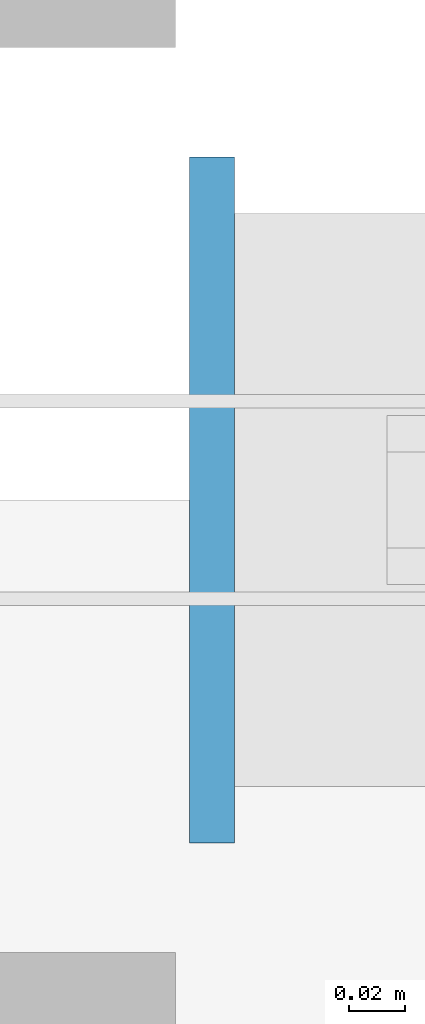
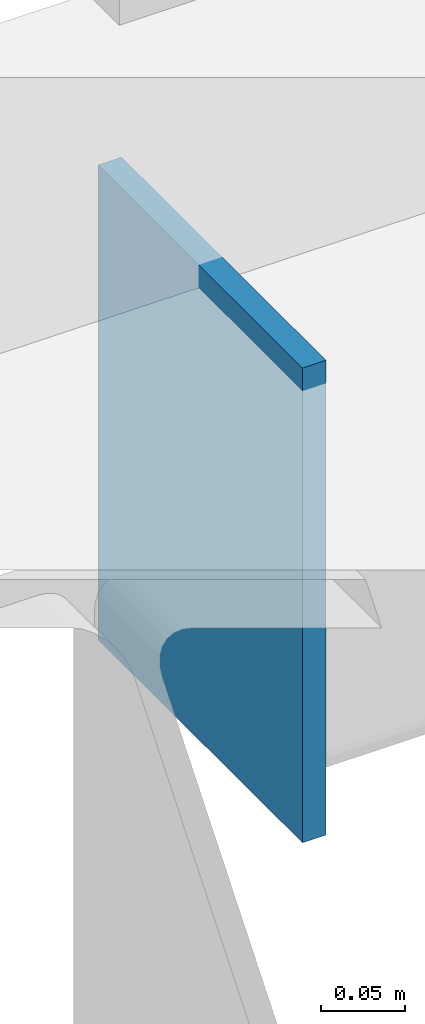
# One storey, part 146 of 186: 1 plate.
"""IFC4 building model written with IfcOpenShell, lengths in metres."""

import ifcopenshell
import ifcopenshell.guid

model = None  # the IFC model being written
_history = None  # IfcOwnerHistory: only IFC2X3 demands one
_inside = {}  # id of a spatial element -> (the spatial element, [elements in it])
_under = {}  # id of a project, library or spatial element -> (it, [spatial elements below it])
_declared = {}  # id of a project -> (the project, [libraries it declares])
_typed = {}  # id of a type object -> (the type object, [elements of that type])
_made_of = {}  # id of a material, layer set ... -> (it, [elements and type objects made of it])


def new_model(schema):
    """Start an empty IFC model of exactly this schema.

    Asked for "IFC4X3", IfcOpenShell would pick the latest addendum, in which some entities
    have other attributes; the version numbers below select the first issue.
    IFC2X3 requires an IfcOwnerHistory on every rooted entity: one is made here for all.
    """
    global model, _history
    if schema == "IFC4X3":
        model = ifcopenshell.file(schema_version=(4, 3, 0, 0))
    else:
        model = ifcopenshell.file(schema=schema)
    _inside.clear()
    _under.clear()
    _declared.clear()
    _typed.clear()
    _made_of.clear()
    _history = None
    if model.schema == "IFC2X3":
        org = make("IfcOrganization", Name="unknown")
        user = make(
            "IfcPersonAndOrganization",
            ThePerson=make("IfcPerson", FamilyName="unknown"),
            TheOrganization=org,
        )
        app = make(
            "IfcApplication",
            ApplicationDeveloper=org,
            Version="unknown",
            ApplicationFullName="unknown",
            ApplicationIdentifier="unknown",
        )
        _history = make(
            "IfcOwnerHistory",
            OwningUser=user,
            OwningApplication=app,
            ChangeAction="ADDED",
            CreationDate=0,
        )
    return model


def make(cls, **values):
    """One entity of the class cls with the attributes given. An attribute that is None is left unset."""
    return model.create_entity(
        cls, **{name: value for name, value in values.items() if value is not None}
    )


def rooted(cls, **values):
    """An entity with a GlobalId (a new one), such as an element, a storey or a relation."""
    return make(cls, GlobalId=ifcopenshell.guid.new(), OwnerHistory=_history, **values)


def si_unit(unit_type, name, prefix=None):
    """IfcSIUnit, for example si_unit("LENGTHUNIT", "METRE", prefix="MILLI")."""
    return make("IfcSIUnit", UnitType=unit_type, Prefix=prefix, Name=name)


def assignment(units):
    """IfcUnitAssignment: the units of a project."""
    return None if units is None else make("IfcUnitAssignment", Units=units)


def point(xyz):
    """IfcCartesianPoint."""
    return None if xyz is None else make("IfcCartesianPoint", Coordinates=xyz)


def direction(xyz):
    """IfcDirection."""
    return None if xyz is None else make("IfcDirection", DirectionRatios=xyz)


def frame(location, z_axis=None, x_axis=None):
    """IfcAxis2Placement3D, a coordinate frame: its origin and axes. An axis left out is left unset."""
    return make(
        "IfcAxis2Placement3D",
        Location=point(location),
        Axis=direction(z_axis),
        RefDirection=direction(x_axis),
    )


def frame_2d(location, x_axis=None):
    """IfcAxis2Placement2D, a coordinate frame in the plane: its origin and x axis."""
    return make(
        "IfcAxis2Placement2D", Location=point(location), RefDirection=direction(x_axis)
    )


def origin():
    """The frame at (0, 0, 0) with its axes left unset."""
    return frame((0.0, 0.0, 0.0))


def origin_2d():
    """The frame at (0, 0) in the plane with its x axis left unset."""
    return frame_2d((0.0, 0.0))


def place(relative_to, where):
    """IfcLocalPlacement: puts the frame where relative to a parent placement (None: the world)."""
    return make(
        "IfcLocalPlacement", PlacementRelTo=relative_to, RelativePlacement=where
    )


def context(
    kind, dimensions, precision=None, world=None, true_north=None, identifier=None
):
    """IfcGeometricRepresentationContext, for example the 3D "Model" context."""
    return make(
        "IfcGeometricRepresentationContext",
        ContextIdentifier=identifier,
        ContextType=kind,
        CoordinateSpaceDimension=dimensions,
        Precision=precision,
        WorldCoordinateSystem=world,
        TrueNorth=true_north,
    )


def subcontext(parent, identifier, kind, view, scale=None):
    """IfcGeometricRepresentationSubContext, for example "Body" below "Model"."""
    return make(
        "IfcGeometricRepresentationSubContext",
        ContextIdentifier=identifier,
        ContextType=kind,
        ParentContext=parent,
        TargetScale=scale,
        TargetView=view,
    )


def project(units=None, contexts=None):
    """IfcProject with its units and contexts."""
    return rooted(
        "IfcProject",
        Name="project",
        RepresentationContexts=contexts,
        UnitsInContext=assignment(units),
    )


def spatial(cls, under=None, at=None, **own):
    """A site, building, storey or space (cls), placed at a placement, below another one or the project."""
    s = rooted(cls, ObjectPlacement=at, **own)
    if under is not None:
        _under.setdefault(under.id(), (under, []))[1].append(s)
    return s


def profile(cls, at=None, kind="AREA", **sizes):
    """A parametric profile (cls). Its sizes go by their IFC names, for example OverallWidth=200.0."""
    return make(cls, ProfileType=kind, Position=at, **sizes)


def rectangle(**sizes):
    """IfcRectangleProfileDef."""
    return profile("IfcRectangleProfileDef", **sizes)


def extrude(swept, where, along, depth):
    """IfcExtrudedAreaSolid: the profile swept, set in the frame where, extruded along a direction by depth."""
    return make(
        "IfcExtrudedAreaSolid",
        SweptArea=swept,
        Position=where,
        ExtrudedDirection=direction(along),
        Depth=depth,
    )


def shape(context_of_items, identifier, shape_type, items):
    """IfcShapeRepresentation: the items that make up one representation, for example the "Body"."""
    return make(
        "IfcShapeRepresentation",
        ContextOfItems=context_of_items,
        RepresentationIdentifier=identifier,
        RepresentationType=shape_type,
        Items=items,
    )


def material(Name=None, Category=None):
    """IfcMaterial."""
    return make("IfcMaterial", Name=Name, Category=Category)


def layer(
    of_material, thickness, ventilated=None, Name=None, Category=None, Priority=None
):
    """IfcMaterialLayer: one layer of a wall or slab, of a material (None: an air gap)."""
    return make(
        "IfcMaterialLayer",
        Material=of_material,
        LayerThickness=thickness,
        IsVentilated=ventilated,
        Name=Name,
        Category=Category,
        Priority=Priority,
    )


def layer_set(layers, Name=None):
    """IfcMaterialLayerSet."""
    return make("IfcMaterialLayerSet", MaterialLayers=layers, LayerSetName=Name)


def made_of(thing, what):
    """Note that an element or type object is made of a material, layer set ...; save() writes the relation."""
    if what is not None:
        _made_of.setdefault(what.id(), (what, []))[1].append(thing)
    return thing


def type_object(cls, material=None, **own):
    """A type object (cls), such as IfcWallType, which elements share."""
    return made_of(rooted(cls, **own), material)


def element(
    cls,
    number,
    at=None,
    inside=None,
    cuts=None,
    type_object=None,
    material=None,
    context=None,
    identifier="Body",
    shape_type=None,
    held_by="IfcProductDefinitionShape",
    body=None,
    shapes=None,
    **own,
):
    """One element of the class cls, such as IfcWall. Its Tag is "e" and its number.

    at: its placement. inside: the storey or other place that contains it. cuts: it is an
    opening in that element (IfcRelVoidsElement). A single representation is given by context,
    identifier, shape_type and body (its items); several are given by shapes. held_by: the class
    of the entity that holds the representations. save() writes the other relations.
    """
    e = rooted(cls, Tag="e%d" % number, ObjectPlacement=at, **own)
    if body is not None:
        shapes = [shape(context, identifier, shape_type, body)]
    if shapes is not None:
        e.Representation = make(held_by, Representations=shapes)
    if inside is not None:
        _inside.setdefault(inside.id(), (inside, []))[1].append(e)
    if cuts is not None:
        rooted(
            "IfcRelVoidsElement", RelatingBuildingElement=cuts, RelatedOpeningElement=e
        )
    if type_object is not None:
        _typed.setdefault(type_object.id(), (type_object, []))[1].append(e)
    return made_of(e, material)


def aggregate(whole, parts):
    """IfcRelAggregates: a whole, such as a stair, and the parts it consists of."""
    return rooted("IfcRelAggregates", RelatingObject=whole, RelatedObjects=parts)


def save(model, path):
    """Write the relations noted so far, then the file.

    IfcRelAggregates (storeys below a building ...), IfcRelContainedInSpatialStructure (elements
    in a storey), IfcRelDefinesByType, IfcRelAssociatesMaterial and IfcRelDeclares: one each for
    every whole, place, type object, material and project.
    """
    for whole, parts in _under.values():
        aggregate(whole, parts)
    for where, things in _inside.values():
        rooted(
            "IfcRelContainedInSpatialStructure",
            RelatedElements=things,
            RelatingStructure=where,
        )
    for kind, things in _typed.values():
        rooted("IfcRelDefinesByType", RelatedObjects=things, RelatingType=kind)
    for what, things in _made_of.values():
        rooted("IfcRelAssociatesMaterial", RelatedObjects=things, RelatingMaterial=what)
    for by, libraries in _declared.values():
        rooted("IfcRelDeclares", RelatingContext=by, RelatedDefinitions=libraries)
    model.write(path)


model = new_model("IFC4")

# Units and contexts
model_context = context("Model", 3, precision=1e-05, world=origin(), true_north=direction((0.0, 1.0)))
body_context = subcontext(model_context, "Body", "Model", "MODEL_VIEW")
ifc_project = project(units=[si_unit("LENGTHUNIT", "METRE"), si_unit("AREAUNIT", "SQUARE_METRE"), si_unit("VOLUMEUNIT", "CUBIC_METRE"), si_unit("PLANEANGLEUNIT", "RADIAN"), si_unit("MASSUNIT", "GRAM", prefix="KILO")], contexts=[model_context])

# Site, building, storey
site_placement = place(None, origin())
site = spatial("IfcSite", under=ifc_project, at=site_placement, CompositionType="ELEMENT")
building_placement = place(site_placement, origin())
building = spatial("IfcBuilding", under=site, at=building_placement, Name="Calvrana Isthmian Art Gallery", CompositionType="ELEMENT")
storey_placement = place(building_placement, frame((0.0, 0.0, 5.39990234375)))
storey = spatial("IfcBuildingStorey", under=building, at=storey_placement, Name="L01", CompositionType="ELEMENT", Elevation=5.39990234375)

# Plate
ifc_material = material(Name="Steel ASTM A572 Gr 50", Category="steel")
ifc_layer = layer(ifc_material, 0.01611328125, Name="Steel ASTM A572 Gr 50")
ifc_layer_set = layer_set([ifc_layer], Name="Steel ASTM A572 Gr 50")
plate_type = type_object("IfcPlateType", Name="PL-CAP-16", PredefinedType="SHEET", material=ifc_layer_set)
plate_placement = place(storey_placement, frame((127.3994140625, 46.800048828125, -0.569580078125), z_axis=(0.0, 0.0, 1.0), x_axis=(1.0, 0.0, 0.0)))
element("IfcPlate", 1, at=plate_placement, inside=storey, type_object=plate_type, Name="Hollow section end cap plate 421", PredefinedType="SHEET", context=body_context, shape_type="SweptSolid", body=[
    extrude(rectangle(XDim=0.01611328125, YDim=0.2431640625, at=origin_2d()), origin(), (0.0, 0.0, 1.0), 0.3447265625),
])

save(model, "model.ifc")
